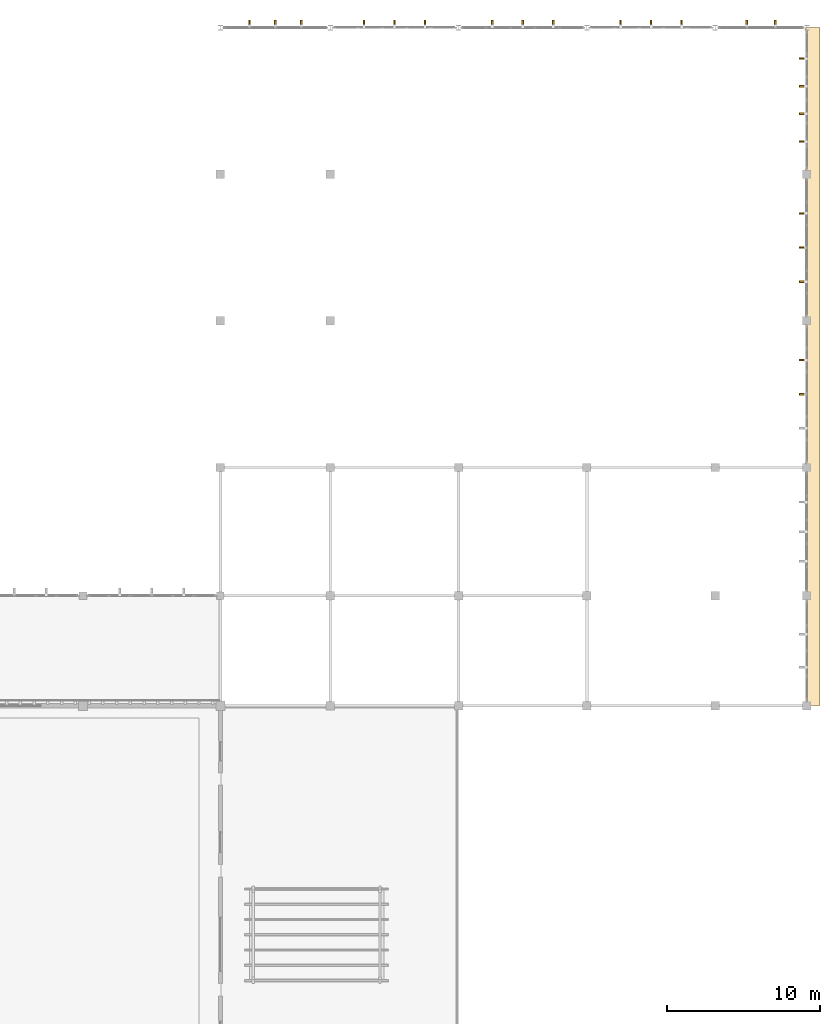
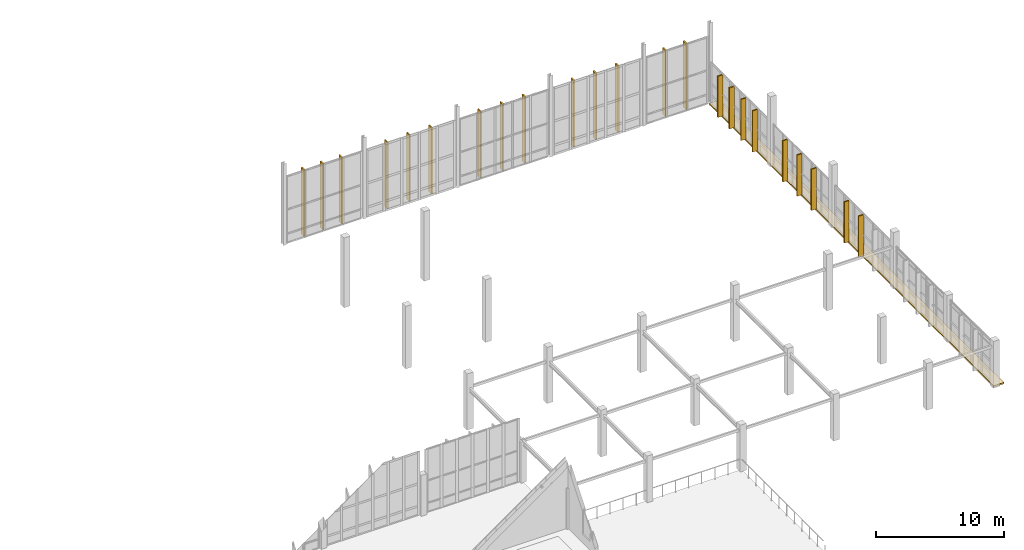
# One storey, part 67 of 67: 24 coverings.
"""IFC4 building model written with IfcOpenShell, lengths in metres."""

from ifc_helpers import new_model, si_unit, direction, frame, origin, origin_2d, place, context, subcontext, project, spatial, polyline, rectangle, outline, extrude, material, layer, layer_set, type_object, element, save


model = new_model("IFC4")

# Units and contexts
model_context = context("Model", 3, precision=1e-05, world=origin(), true_north=direction((0.0, 1.0)))
body_context = subcontext(model_context, "Body", "Model", "MODEL_VIEW")
ifc_project = project(units=[si_unit("LENGTHUNIT", "METRE"), si_unit("AREAUNIT", "SQUARE_METRE"), si_unit("VOLUMEUNIT", "CUBIC_METRE"), si_unit("PLANEANGLEUNIT", "RADIAN"), si_unit("MASSUNIT", "GRAM", prefix="KILO")], contexts=[model_context])

# Site, building, storey
site_placement = place(None, origin())
site = spatial("IfcSite", under=ifc_project, at=site_placement, CompositionType="ELEMENT")
building_placement = place(site_placement, origin())
building = spatial("IfcBuilding", under=site, at=building_placement, Name="Tizgana Railside Sports Hall", CompositionType="ELEMENT")
storey_placement = place(building_placement, frame((0.0, 0.0, 12.0)))
storey = spatial("IfcBuildingStorey", under=building, at=storey_placement, Name="L02", CompositionType="ELEMENT", Elevation=12.0)

# Coverings
ifc_material_1 = material(Name="Glulam GL28h", Category="wood")
ifc_layer_1 = layer(ifc_material_1, 0.139892578125, Name="Glulam GL28h")
ifc_layer_set_1 = layer_set([ifc_layer_1], Name="Glulam GL28h")
covering_type_1 = type_object("IfcCoveringType", Name="Mass-Timber Brise-Soleil & Pergola Fin", PredefinedType="CLADDING", material=ifc_layer_set_1)
for number, where, z_axis, x_axis, name in (
    (1, (135.702392578125, 117.8798828125, 0.0400390625), (0.0, 0.0, 1.0), (1.0, 0.0, 0.0), "L02 Timber Brise-Soleil Fin"),
    (2, (137.39990234375, 117.8798828125, 0.0400390625), (0.0, 0.0, 1.0), (1.0, 0.0, 0.0), "L02 Timber Brise-Soleil Fin"),
    (3, (139.097412109375, 117.8798828125, 0.0400390625), (0.0, 0.0, 1.0), (1.0, 0.0, 0.0), "L02 Timber Brise-Soleil Fin"),
    (4, (143.202392578125, 117.8798828125, 0.0400390625), (0.0, 0.0, 1.0), (1.0, 0.0, 0.0), "L02 Timber Brise-Soleil Fin"),
    (5, (145.199951171875, 117.8798828125, 0.0400390625), (0.0, 0.0, 1.0), (1.0, 0.0, 0.0), "L02 Timber Brise-Soleil Fin"),
    (6, (147.197509765625, 117.8798828125, 0.0400390625), (0.0, 0.0, 1.0), (1.0, 0.0, 0.0), "L02 Timber Brise-Soleil Fin"),
    (7, (151.6025390625, 117.8798828125, 0.0400390625), (0.0, 0.0, 1.0), (1.0, 0.0, 0.0), "L02 Timber Brise-Soleil Fin"),
    (8, (153.60009765625, 117.8798828125, 0.0400390625), (0.0, 0.0, 1.0), (1.0, 0.0, 0.0), "L02 Timber Brise-Soleil Fin"),
    (9, (155.597412109375, 117.8798828125, 0.0400390625), (0.0, 0.0, 1.0), (1.0, 0.0, 0.0), "L02 Timber Brise-Soleil Fin"),
    (10, (160.00244140625, 117.8798828125, 0.0400390625), (0.0, 0.0, 1.0), (1.0, 0.0, 0.0), "L02 Timber Brise-Soleil Fin"),
    (11, (162.0, 117.8798828125, 0.0400390625), (0.0, 0.0, 1.0), (1.0, 0.0, 0.0), "L02 Timber Brise-Soleil Fin"),
    (12, (163.99755859375, 117.8798828125, 0.0400390625), (0.0, 0.0, 1.0), (1.0, 0.0, 0.0), "L02 Timber Brise-Soleil Fin"),
    (13, (168.268310546875, 117.8798828125, 0.0400390625), (0.0, 0.0, 1.0), (1.0, 0.0, 0.0), "L02 Timber Brise-Soleil Fin"),
    (14, (170.131591796875, 117.8798828125, 0.0400390625), (0.0, 0.0, 1.0), (1.0, 0.0, 0.0), "L02 Timber Brise-Soleil Fin"),
):
    element("IfcCovering", number, at=place(storey_placement, frame(where, z_axis=z_axis, x_axis=x_axis)), inside=storey, type_object=covering_type_1, Name=name, PredefinedType="CLADDING", context=body_context, shape_type="SweptSolid", body=[
        extrude(rectangle(XDim=0.1201171875, YDim=0.43994140625, at=origin_2d()), origin(), (0.0, 0.0, 1.0), 6.320068359375),
    ])
for number, where, z_axis, x_axis, name in (
    (15, (171.919921875, 93.60009765625, 0.0400390625), (0.0, 0.0, 1.0), (0.0, 1.0, 0.0), "L02 Timber Brise-Soleil Fin"),
    (16, (171.919921875, 95.8349609375, 0.0400390625), (0.0, 0.0, 1.0), (0.0, 1.0, 0.0), "L02 Timber Brise-Soleil Fin"),
    (17, (171.919921875, 100.965087890625, 0.0400390625), (0.0, 0.0, 1.0), (0.0, 1.0, 0.0), "L02 Timber Brise-Soleil Fin"),
    (18, (171.919921875, 103.199951171875, 0.0400390625), (0.0, 0.0, 1.0), (0.0, 1.0, 0.0), "L02 Timber Brise-Soleil Fin"),
    (19, (171.919921875, 105.43505859375, 0.0400390625), (0.0, 0.0, 1.0), (0.0, 1.0, 0.0), "L02 Timber Brise-Soleil Fin"),
    (20, (171.919921875, 110.14111328125, 0.0400390625), (0.0, 0.0, 1.0), (0.0, 1.0, 0.0), "L02 Timber Brise-Soleil Fin"),
    (21, (171.919921875, 111.951904296875, 0.0400390625), (0.0, 0.0, 1.0), (0.0, 1.0, 0.0), "L02 Timber Brise-Soleil Fin"),
    (22, (171.919921875, 113.762939453125, 0.0400390625), (0.0, 0.0, 1.0), (0.0, 1.0, 0.0), "L02 Timber Brise-Soleil Fin"),
    (23, (171.919921875, 115.573974609375, 0.0400390625), (0.0, 0.0, 1.0), (0.0, 1.0, 0.0), "L02 Timber Brise-Soleil Fin"),
):
    element("IfcCovering", number, at=place(storey_placement, frame(where, z_axis=z_axis, x_axis=x_axis)), inside=storey, type_object=covering_type_1, Name=name, PredefinedType="CLADDING", context=body_context, shape_type="SweptSolid", body=[
        extrude(rectangle(XDim=0.1201171875, YDim=0.43994140625, at=origin_2d()), origin(), (0.0, 0.0, 1.0), 3.919921875),
    ])
ifc_material_2 = material(Name="Anodised aluminium roofing", Category="aluminium")
ifc_layer_2 = layer(ifc_material_2, 0.080078125, Name="Anodised aluminium roofing")
ifc_layer_set_2 = layer_set([ifc_layer_2], Name="Anodised aluminium roofing")
covering_type_2 = type_object("IfcCoveringType", Name="Standing-Seam Insulated Vault Roofing", PredefinedType="ROOFING", material=ifc_layer_set_2)
covering_placement = place(storey_placement, frame((0.0, 0.0, -0.139892578125)))
element("IfcCovering", 24, at=covering_placement, inside=storey, type_object=covering_type_2, Name="L02 East Sun Canopy", PredefinedType="ROOFING", context=body_context, shape_type="SweptSolid", body=[
    extrude(outline(polyline([(172.1201171875, 73.199951171875), (173.050048828125, 73.199951171875), (173.050048828125, 117.60009765625), (172.1201171875, 117.60009765625), (172.1201171875, 73.199951171875)])), origin(), (0.0, 0.0, 1.0), 0.139892578125),
])

save(model, "model.ifc")
